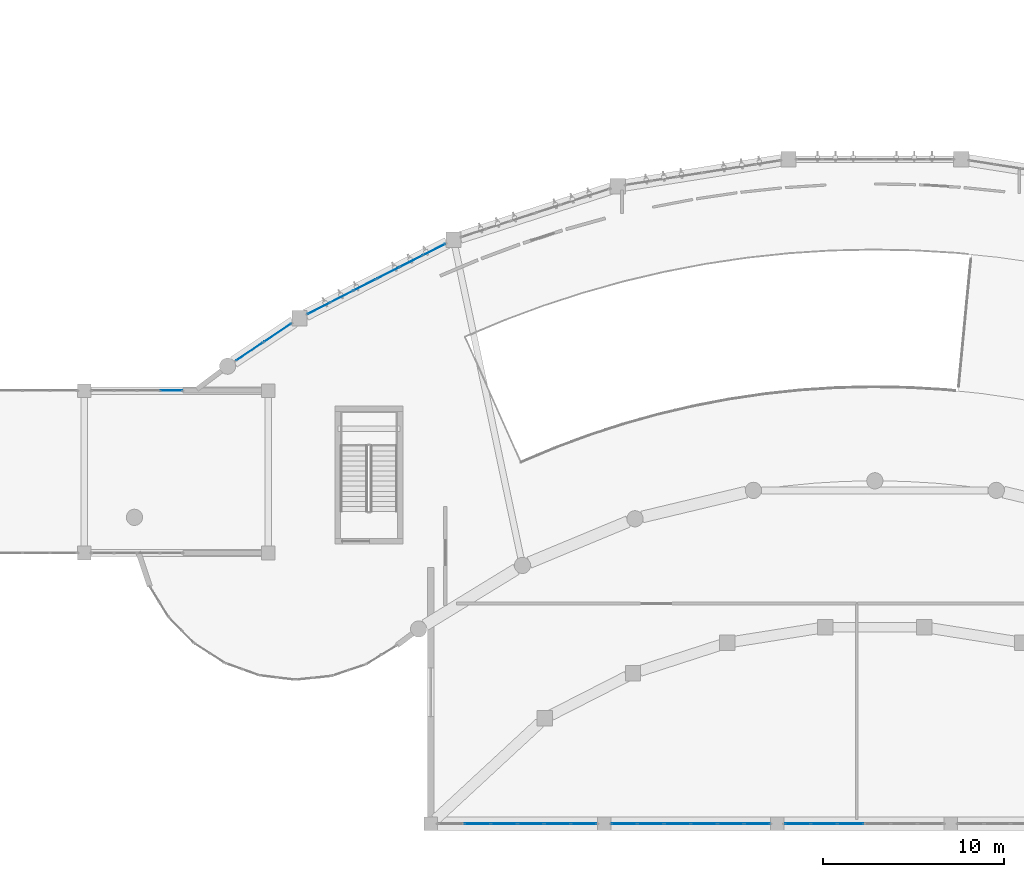
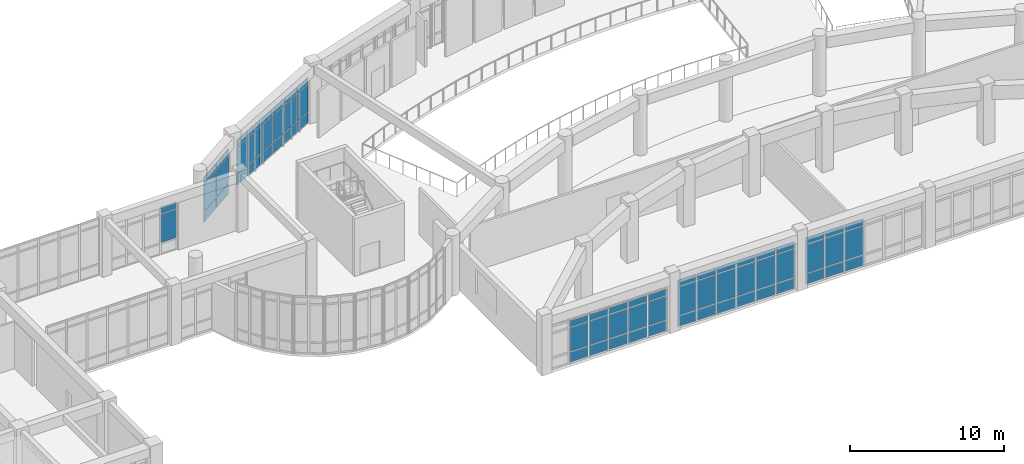
# One storey, part 40 of 68: 68 plates, 8 elements without a shape of their own.
"""IFC4 building model written with IfcOpenShell, lengths in metres."""

from ifc_helpers import new_model, si_unit, direction, frame, origin, origin_2d, place, context, subcontext, project, spatial, rectangle, extrude, material, layer, layer_set, type_object, element, aggregate, save


model = new_model("IFC4")

# Units and contexts
model_context = context("Model", 3, precision=1e-05, world=origin(), true_north=direction((0.0, 1.0)))
body_context = subcontext(model_context, "Body", "Model", "MODEL_VIEW")
ifc_project = project(units=[si_unit("LENGTHUNIT", "METRE"), si_unit("AREAUNIT", "SQUARE_METRE"), si_unit("VOLUMEUNIT", "CUBIC_METRE"), si_unit("PLANEANGLEUNIT", "RADIAN"), si_unit("MASSUNIT", "GRAM", prefix="KILO")], contexts=[model_context])

# Site, building, storey
site_placement = place(None, origin())
site = spatial("IfcSite", under=ifc_project, at=site_placement, CompositionType="ELEMENT")
building_placement = place(site_placement, origin())
building = spatial("IfcBuilding", under=site, at=building_placement, Name="Miralva Faculty of Natural Sciences", CompositionType="ELEMENT")
storey_placement = place(building_placement, frame((0.0, 0.0, 5.39990234375)))
storey = spatial("IfcBuildingStorey", under=building, at=storey_placement, Name="L01", CompositionType="ELEMENT", Elevation=5.39990234375)

# Curtain wall, plates
ifc_material = material(Name="Laminated solar-control glass", Category="glass")
ifc_layer_1 = layer(ifc_material, 0.179931640625, Name="CW-ARC-L01")
ifc_layer_set_1 = layer_set([ifc_layer_1], Name="Laminated solar-control glass")
curtain_wall_type_1 = type_object("IfcCurtainWallType", Name="CW-ARC-L01", PredefinedType="USERDEFINED", material=ifc_layer_set_1)
curtain_wall_1_placement = place(storey_placement, origin())
curtain_wall_1 = element("IfcCurtainWall", 1, at=curtain_wall_1_placement, inside=storey, type_object=curtain_wall_type_1, Name="Curtain wall CW-02 L01-31", ObjectType="UNITISED CURTAIN WALL", PredefinedType="USERDEFINED")
ifc_layer_2 = layer(ifc_material, 0.028076171875, Name="PNL-P01")
ifc_layer_set_2 = layer_set([ifc_layer_2], Name="Laminated solar-control glass")
plate_type_1 = type_object("IfcPlateType", Name="PNL-P01", PredefinedType="CURTAIN_PANEL", material=ifc_layer_set_2)
plate_1_placement = place(storey_placement, frame((55.35888671875, 29.1611328125, 0.06005859375), z_axis=(0.0, 0.0, 1.0), x_axis=(0.831473893276, 0.555563826036, 0.0)))
plate_1 = element("IfcPlate", 2, at=plate_1_placement, type_object=plate_type_1, Name="CW-02 panel 1.1", PredefinedType="CURTAIN_PANEL", context=body_context, shape_type="SweptSolid", body=[
    extrude(rectangle(XDim=1.73974609375, YDim=0.028076171875, at=origin_2d()), origin(), (0.0, 0.0, 1.0), 0.81005859375),
])
plate_2_placement = place(storey_placement, frame((55.35888671875, 29.1611328125, 0.93017578125), z_axis=(0.0, 0.0, 1.0), x_axis=(0.831473893276, 0.555563826036, 0.0)))
plate_2 = element("IfcPlate", 3, at=plate_2_placement, type_object=plate_type_1, Name="CW-02 panel 1.2", PredefinedType="CURTAIN_PANEL", context=body_context, shape_type="SweptSolid", body=[
    extrude(rectangle(XDim=1.73974609375, YDim=0.028076171875, at=origin_2d()), origin(), (0.0, 0.0, 1.0), 2.14501953125),
])
plate_3_placement = place(storey_placement, frame((55.35888671875, 29.1611328125, 3.13525390625), z_axis=(0.0, 0.0, 1.0), x_axis=(0.831473893276, 0.555563826036, 0.0)))
plate_3 = element("IfcPlate", 4, at=plate_3_placement, type_object=plate_type_1, Name="CW-02 panel 1.3", PredefinedType="CURTAIN_PANEL", context=body_context, shape_type="SweptSolid", body=[
    extrude(rectangle(XDim=1.73974609375, YDim=0.028076171875, at=origin_2d()), origin(), (0.0, 0.0, 1.0), 0.510009765625),
])
aggregate(curtain_wall_1, [plate_1, plate_2, plate_3])

curtain_wall_2_placement = place(storey_placement, origin())
curtain_wall_2 = element("IfcCurtainWall", 5, at=curtain_wall_2_placement, inside=storey, type_object=curtain_wall_type_1, Name="Curtain wall CW-02 L01-32", ObjectType="UNITISED CURTAIN WALL", PredefinedType="USERDEFINED")
plate_4_placement = place(storey_placement, frame((56.924072265625, 30.206787109375, 0.06005859375), z_axis=(0.0, 0.0, 1.0), x_axis=(0.831476437239, 0.555560018644, 0.0)))
plate_4 = element("IfcPlate", 6, at=plate_4_placement, type_object=plate_type_1, Name="CW-02 panel 1.1", PredefinedType="CURTAIN_PANEL", context=body_context, shape_type="SweptSolid", body=[
    extrude(rectangle(XDim=1.77490234375, YDim=0.028076171875, at=origin_2d()), origin(), (0.0, 0.0, 1.0), 0.81005859375),
])
plate_5_placement = place(storey_placement, frame((56.924072265625, 30.206787109375, 0.93017578125), z_axis=(0.0, 0.0, 1.0), x_axis=(0.831476437239, 0.555560018644, 0.0)))
plate_5 = element("IfcPlate", 7, at=plate_5_placement, type_object=plate_type_1, Name="CW-02 panel 1.2", PredefinedType="CURTAIN_PANEL", context=body_context, shape_type="SweptSolid", body=[
    extrude(rectangle(XDim=1.77490234375, YDim=0.028076171875, at=origin_2d()), origin(), (0.0, 0.0, 1.0), 2.14501953125),
])
plate_6_placement = place(storey_placement, frame((56.924072265625, 30.206787109375, 3.13525390625), z_axis=(0.0, 0.0, 1.0), x_axis=(0.831476437239, 0.555560018644, 0.0)))
plate_6 = element("IfcPlate", 8, at=plate_6_placement, type_object=plate_type_1, Name="CW-02 panel 1.3", PredefinedType="CURTAIN_PANEL", context=body_context, shape_type="SweptSolid", body=[
    extrude(rectangle(XDim=1.77490234375, YDim=0.028076171875, at=origin_2d()), origin(), (0.0, 0.0, 1.0), 0.510009765625),
])
aggregate(curtain_wall_2, [plate_4, plate_5, plate_6])

curtain_wall_3_placement = place(storey_placement, origin())
curtain_wall_3 = element("IfcCurtainWall", 9, at=curtain_wall_3_placement, inside=storey, type_object=curtain_wall_type_1, Name="Curtain wall CW-02 L01-33", ObjectType="UNITISED CURTAIN WALL", PredefinedType="USERDEFINED")
plate_7_placement = place(storey_placement, frame((59.197998046875, 31.556640625, 0.06005859375), z_axis=(0.0, 0.0, 1.0), x_axis=(0.891003994746, 0.453995464015, 0.0)))
plate_7 = element("IfcPlate", 10, at=plate_7_placement, type_object=plate_type_1, Name="CW-02 panel 1.1", PredefinedType="CURTAIN_PANEL", context=body_context, shape_type="SweptSolid", body=[
    extrude(rectangle(XDim=1.3427734375, YDim=0.028076171875, at=origin_2d()), origin(), (0.0, 0.0, 1.0), 0.81005859375),
])
plate_8_placement = place(storey_placement, frame((59.197998046875, 31.556640625, 0.93017578125), z_axis=(0.0, 0.0, 1.0), x_axis=(0.891003994746, 0.453995464015, 0.0)))
plate_8 = element("IfcPlate", 11, at=plate_8_placement, type_object=plate_type_1, Name="CW-02 panel 1.2", PredefinedType="CURTAIN_PANEL", context=body_context, shape_type="SweptSolid", body=[
    extrude(rectangle(XDim=1.3427734375, YDim=0.028076171875, at=origin_2d()), origin(), (0.0, 0.0, 1.0), 2.14501953125),
])
plate_9_placement = place(storey_placement, frame((59.197998046875, 31.556640625, 3.13525390625), z_axis=(0.0, 0.0, 1.0), x_axis=(0.891003994746, 0.453995464015, 0.0)))
plate_9 = element("IfcPlate", 12, at=plate_9_placement, type_object=plate_type_1, Name="CW-02 panel 1.3", PredefinedType="CURTAIN_PANEL", context=body_context, shape_type="SweptSolid", body=[
    extrude(rectangle(XDim=1.3427734375, YDim=0.028076171875, at=origin_2d()), origin(), (0.0, 0.0, 1.0), 0.510009765625),
])
plate_10_placement = place(storey_placement, frame((60.466796875, 32.203125, 0.06005859375), z_axis=(0.0, 0.0, 1.0), x_axis=(0.891003994746, 0.453995464015, 0.0)))
plate_10 = element("IfcPlate", 13, at=plate_10_placement, type_object=plate_type_1, Name="CW-02 panel 2.1", PredefinedType="CURTAIN_PANEL", context=body_context, shape_type="SweptSolid", body=[
    extrude(rectangle(XDim=1.375244140625, YDim=0.028076171875, at=origin_2d()), origin(), (0.0, 0.0, 1.0), 0.81005859375),
])
plate_11_placement = place(storey_placement, frame((60.466796875, 32.203125, 0.93017578125), z_axis=(0.0, 0.0, 1.0), x_axis=(0.891003994746, 0.453995464015, 0.0)))
plate_11 = element("IfcPlate", 14, at=plate_11_placement, type_object=plate_type_1, Name="CW-02 panel 2.2", PredefinedType="CURTAIN_PANEL", context=body_context, shape_type="SweptSolid", body=[
    extrude(rectangle(XDim=1.375244140625, YDim=0.028076171875, at=origin_2d()), origin(), (0.0, 0.0, 1.0), 2.14501953125),
])
plate_12_placement = place(storey_placement, frame((60.466796875, 32.203125, 3.13525390625), z_axis=(0.0, 0.0, 1.0), x_axis=(0.891003994746, 0.453995464015, 0.0)))
plate_12 = element("IfcPlate", 15, at=plate_12_placement, type_object=plate_type_1, Name="CW-02 panel 2.3", PredefinedType="CURTAIN_PANEL", context=body_context, shape_type="SweptSolid", body=[
    extrude(rectangle(XDim=1.375244140625, YDim=0.028076171875, at=origin_2d()), origin(), (0.0, 0.0, 1.0), 0.510009765625),
])
plate_13_placement = place(storey_placement, frame((61.73583984375, 32.849609375, 0.06005859375), z_axis=(0.0, 0.0, 1.0), x_axis=(0.891003994746, 0.453995464015, 0.0)))
plate_13 = element("IfcPlate", 16, at=plate_13_placement, type_object=plate_type_1, Name="CW-02 panel 3.1", PredefinedType="CURTAIN_PANEL", context=body_context, shape_type="SweptSolid", body=[
    extrude(rectangle(XDim=1.3427734375, YDim=0.028076171875, at=origin_2d()), origin(), (0.0, 0.0, 1.0), 0.81005859375),
])
plate_14_placement = place(storey_placement, frame((61.73583984375, 32.849609375, 0.93017578125), z_axis=(0.0, 0.0, 1.0), x_axis=(0.891003994746, 0.453995464015, 0.0)))
plate_14 = element("IfcPlate", 17, at=plate_14_placement, type_object=plate_type_1, Name="CW-02 panel 3.2", PredefinedType="CURTAIN_PANEL", context=body_context, shape_type="SweptSolid", body=[
    extrude(rectangle(XDim=1.3427734375, YDim=0.028076171875, at=origin_2d()), origin(), (0.0, 0.0, 1.0), 2.14501953125),
])
plate_15_placement = place(storey_placement, frame((61.73583984375, 32.849609375, 3.13525390625), z_axis=(0.0, 0.0, 1.0), x_axis=(0.891003994746, 0.453995464015, 0.0)))
plate_15 = element("IfcPlate", 18, at=plate_15_placement, type_object=plate_type_1, Name="CW-02 panel 3.3", PredefinedType="CURTAIN_PANEL", context=body_context, shape_type="SweptSolid", body=[
    extrude(rectangle(XDim=1.3427734375, YDim=0.028076171875, at=origin_2d()), origin(), (0.0, 0.0, 1.0), 0.510009765625),
])
aggregate(curtain_wall_3, [plate_7, plate_8, plate_9, plate_10, plate_11, plate_12, plate_13, plate_14, plate_15])

curtain_wall_4_placement = place(storey_placement, origin())
curtain_wall_4 = element("IfcCurtainWall", 19, at=curtain_wall_4_placement, inside=storey, type_object=curtain_wall_type_1, Name="Curtain wall CW-02 L01-34", ObjectType="UNITISED CURTAIN WALL", PredefinedType="USERDEFINED")
plate_16_placement = place(storey_placement, frame((63.04443359375, 33.516357421875, 0.06005859375), z_axis=(0.0, 0.0, 1.0), x_axis=(0.891017445084, 0.453969065637, 0.0)))
plate_16 = element("IfcPlate", 20, at=plate_16_placement, type_object=plate_type_1, Name="CW-02 panel 1.1", PredefinedType="CURTAIN_PANEL", context=body_context, shape_type="SweptSolid", body=[
    extrude(rectangle(XDim=1.344482421875, YDim=0.028076171875, at=origin_2d()), origin(), (0.0, 0.0, 1.0), 0.81005859375),
])
plate_17_placement = place(storey_placement, frame((63.04443359375, 33.516357421875, 0.93017578125), z_axis=(0.0, 0.0, 1.0), x_axis=(0.891017445084, 0.453969065637, 0.0)))
plate_17 = element("IfcPlate", 21, at=plate_17_placement, type_object=plate_type_1, Name="CW-02 panel 1.2", PredefinedType="CURTAIN_PANEL", context=body_context, shape_type="SweptSolid", body=[
    extrude(rectangle(XDim=1.344482421875, YDim=0.028076171875, at=origin_2d()), origin(), (0.0, 0.0, 1.0), 2.14501953125),
])
plate_18_placement = place(storey_placement, frame((63.04443359375, 33.516357421875, 3.13525390625), z_axis=(0.0, 0.0, 1.0), x_axis=(0.891017445084, 0.453969065637, 0.0)))
plate_18 = element("IfcPlate", 22, at=plate_18_placement, type_object=plate_type_1, Name="CW-02 panel 1.3", PredefinedType="CURTAIN_PANEL", context=body_context, shape_type="SweptSolid", body=[
    extrude(rectangle(XDim=1.344482421875, YDim=0.028076171875, at=origin_2d()), origin(), (0.0, 0.0, 1.0), 0.510009765625),
])
plate_19_placement = place(storey_placement, frame((64.314697265625, 34.16357421875, 0.06005859375), z_axis=(0.0, 0.0, 1.0), x_axis=(0.891017445084, 0.453969065637, 0.0)))
plate_19 = element("IfcPlate", 23, at=plate_19_placement, type_object=plate_type_1, Name="CW-02 panel 2.1", PredefinedType="CURTAIN_PANEL", context=body_context, shape_type="SweptSolid", body=[
    extrude(rectangle(XDim=1.376953125, YDim=0.028076171875, at=origin_2d()), origin(), (0.0, 0.0, 1.0), 0.81005859375),
])
plate_20_placement = place(storey_placement, frame((64.314697265625, 34.16357421875, 0.93017578125), z_axis=(0.0, 0.0, 1.0), x_axis=(0.891017445084, 0.453969065637, 0.0)))
plate_20 = element("IfcPlate", 24, at=plate_20_placement, type_object=plate_type_1, Name="CW-02 panel 2.2", PredefinedType="CURTAIN_PANEL", context=body_context, shape_type="SweptSolid", body=[
    extrude(rectangle(XDim=1.376953125, YDim=0.028076171875, at=origin_2d()), origin(), (0.0, 0.0, 1.0), 2.14501953125),
])
plate_21_placement = place(storey_placement, frame((64.314697265625, 34.16357421875, 3.13525390625), z_axis=(0.0, 0.0, 1.0), x_axis=(0.891017445084, 0.453969065637, 0.0)))
plate_21 = element("IfcPlate", 25, at=plate_21_placement, type_object=plate_type_1, Name="CW-02 panel 2.3", PredefinedType="CURTAIN_PANEL", context=body_context, shape_type="SweptSolid", body=[
    extrude(rectangle(XDim=1.376953125, YDim=0.028076171875, at=origin_2d()), origin(), (0.0, 0.0, 1.0), 0.510009765625),
])
plate_22_placement = place(storey_placement, frame((65.585205078125, 34.810791015625, 0.06005859375), z_axis=(0.0, 0.0, 1.0), x_axis=(0.891017445084, 0.453969065637, 0.0)))
plate_22 = element("IfcPlate", 26, at=plate_22_placement, type_object=plate_type_1, Name="CW-02 panel 3.1", PredefinedType="CURTAIN_PANEL", context=body_context, shape_type="SweptSolid", body=[
    extrude(rectangle(XDim=1.344482421875, YDim=0.028076171875, at=origin_2d()), origin(), (0.0, 0.0, 1.0), 0.81005859375),
])
plate_23_placement = place(storey_placement, frame((65.585205078125, 34.810791015625, 0.93017578125), z_axis=(0.0, 0.0, 1.0), x_axis=(0.891017445084, 0.453969065637, 0.0)))
plate_23 = element("IfcPlate", 27, at=plate_23_placement, type_object=plate_type_1, Name="CW-02 panel 3.2", PredefinedType="CURTAIN_PANEL", context=body_context, shape_type="SweptSolid", body=[
    extrude(rectangle(XDim=1.344482421875, YDim=0.028076171875, at=origin_2d()), origin(), (0.0, 0.0, 1.0), 2.14501953125),
])
plate_24_placement = place(storey_placement, frame((65.585205078125, 34.810791015625, 3.13525390625), z_axis=(0.0, 0.0, 1.0), x_axis=(0.891017445084, 0.453969065637, 0.0)))
plate_24 = element("IfcPlate", 28, at=plate_24_placement, type_object=plate_type_1, Name="CW-02 panel 3.3", PredefinedType="CURTAIN_PANEL", context=body_context, shape_type="SweptSolid", body=[
    extrude(rectangle(XDim=1.344482421875, YDim=0.028076171875, at=origin_2d()), origin(), (0.0, 0.0, 1.0), 0.510009765625),
])
aggregate(curtain_wall_4, [plate_16, plate_17, plate_18, plate_19, plate_20, plate_21, plate_22, plate_23, plate_24])

ifc_layer_3 = layer(ifc_material, 0.179931640625, Name="CW-COM-L01")
ifc_layer_set_3 = layer_set([ifc_layer_3], Name="Laminated solar-control glass")
curtain_wall_type_2 = type_object("IfcCurtainWallType", Name="CW-COM-L01", PredefinedType="USERDEFINED", material=ifc_layer_set_3)
curtain_wall_5_placement = place(storey_placement, origin())
curtain_wall_5 = element("IfcCurtainWall", 29, at=curtain_wall_5_placement, inside=storey, type_object=curtain_wall_type_2, Name="Curtain wall CW-10 L01-292", ObjectType="UNITISED CURTAIN WALL", PredefinedType="USERDEFINED")
plate_25_placement = place(storey_placement, frame((51.025634765625, 27.0, 0.93017578125), z_axis=(0.0, 0.0, 1.0), x_axis=(1.0, 0.0, 0.0)))
plate_25 = element("IfcPlate", 30, at=plate_25_placement, type_object=plate_type_1, Name="CW-10 panel 4.2", PredefinedType="CURTAIN_PANEL", context=body_context, shape_type="SweptSolid", body=[
    extrude(rectangle(XDim=1.188720703125, YDim=0.028076171875, at=origin_2d()), origin(), (0.0, 0.0, 1.0), 2.2548828125),
])
plate_26_placement = place(storey_placement, frame((51.025634765625, 27.0, 3.2451171875), z_axis=(0.0, 0.0, 1.0), x_axis=(1.0, 0.0, 0.0)))
plate_26 = element("IfcPlate", 31, at=plate_26_placement, type_object=plate_type_1, Name="CW-10 panel 4.3", PredefinedType="CURTAIN_PANEL", context=body_context, shape_type="SweptSolid", body=[
    extrude(rectangle(XDim=1.188720703125, YDim=0.028076171875, at=origin_2d()), origin(), (0.0, 0.0, 1.0), 0.510009765625),
])
aggregate(curtain_wall_5, [plate_25, plate_26])

ifc_layer_4 = layer(ifc_material, 0.179931640625, Name="CW-LEC-L01")
ifc_layer_set_4 = layer_set([ifc_layer_4], Name="Laminated solar-control glass")
curtain_wall_type_3 = type_object("IfcCurtainWallType", Name="CW-LEC-L01", PredefinedType="USERDEFINED", material=ifc_layer_set_4)
curtain_wall_6_placement = place(storey_placement, origin())
curtain_wall_6 = element("IfcCurtainWall", 32, at=curtain_wall_6_placement, inside=storey, type_object=curtain_wall_type_3, Name="Curtain wall CW-08 L01-206", ObjectType="UNITISED CURTAIN WALL", PredefinedType="USERDEFINED")
ifc_layer_5 = layer(ifc_material, 0.031982421875, Name="PNL-P02")
ifc_layer_set_5 = layer_set([ifc_layer_5], Name="Laminated solar-control glass")
plate_type_2 = type_object("IfcPlateType", Name="PNL-P02", PredefinedType="CURTAIN_PANEL", material=ifc_layer_set_5)
plate_27_placement = place(storey_placement, frame((67.982421875, 3.0, 0.06494140625), z_axis=(0.0, 0.0, 1.0), x_axis=(1.0, 0.0, 0.0)))
plate_27 = element("IfcPlate", 33, at=plate_27_placement, type_object=plate_type_2, Name="CW-08 panel 2.1", PredefinedType="CURTAIN_PANEL", context=body_context, shape_type="SweptSolid", body=[
    extrude(rectangle(XDim=1.413330078125, YDim=0.031982421875, at=origin_2d()), origin(), (0.0, 0.0, 1.0), 0.802490234375),
])
plate_28_placement = place(storey_placement, frame((67.982421875, 3.0, 0.9326171875), z_axis=(0.0, 0.0, 1.0), x_axis=(1.0, 0.0, 0.0)))
plate_28 = element("IfcPlate", 34, at=plate_28_placement, type_object=plate_type_2, Name="CW-08 panel 2.2", PredefinedType="CURTAIN_PANEL", context=body_context, shape_type="SweptSolid", body=[
    extrude(rectangle(XDim=1.413330078125, YDim=0.031982421875, at=origin_2d()), origin(), (0.0, 0.0, 1.0), 1.8798828125),
])
plate_29_placement = place(storey_placement, frame((67.982421875, 3.0, 2.877685546875), z_axis=(0.0, 0.0, 1.0), x_axis=(1.0, 0.0, 0.0)))
plate_29 = element("IfcPlate", 35, at=plate_29_placement, type_object=plate_type_2, Name="CW-08 panel 2.3", PredefinedType="CURTAIN_PANEL", context=body_context, shape_type="SweptSolid", body=[
    extrude(rectangle(XDim=1.413330078125, YDim=0.031982421875, at=origin_2d()), origin(), (0.0, 0.0, 1.0), 0.50244140625),
])
plate_30_placement = place(storey_placement, frame((69.4609375, 3.0, 0.06494140625), z_axis=(0.0, 0.0, 1.0), x_axis=(1.0, 0.0, 0.0)))
plate_30 = element("IfcPlate", 36, at=plate_30_placement, type_object=plate_type_2, Name="CW-08 panel 3.1", PredefinedType="CURTAIN_PANEL", context=body_context, shape_type="SweptSolid", body=[
    extrude(rectangle(XDim=1.413330078125, YDim=0.031982421875, at=origin_2d()), origin(), (0.0, 0.0, 1.0), 0.802490234375),
])
plate_31_placement = place(storey_placement, frame((69.4609375, 3.0, 0.9326171875), z_axis=(0.0, 0.0, 1.0), x_axis=(1.0, 0.0, 0.0)))
plate_31 = element("IfcPlate", 37, at=plate_31_placement, type_object=plate_type_2, Name="CW-08 panel 3.2", PredefinedType="CURTAIN_PANEL", context=body_context, shape_type="SweptSolid", body=[
    extrude(rectangle(XDim=1.413330078125, YDim=0.031982421875, at=origin_2d()), origin(), (0.0, 0.0, 1.0), 1.8798828125),
])
plate_32_placement = place(storey_placement, frame((69.4609375, 3.0, 2.877685546875), z_axis=(0.0, 0.0, 1.0), x_axis=(1.0, 0.0, 0.0)))
plate_32 = element("IfcPlate", 38, at=plate_32_placement, type_object=plate_type_2, Name="CW-08 panel 3.3", PredefinedType="CURTAIN_PANEL", context=body_context, shape_type="SweptSolid", body=[
    extrude(rectangle(XDim=1.413330078125, YDim=0.031982421875, at=origin_2d()), origin(), (0.0, 0.0, 1.0), 0.50244140625),
])
plate_33_placement = place(storey_placement, frame((70.939208984375, 3.0, 0.06494140625), z_axis=(0.0, 0.0, 1.0), x_axis=(1.0, 0.0, 0.0)))
plate_33 = element("IfcPlate", 39, at=plate_33_placement, type_object=plate_type_2, Name="CW-08 panel 4.1", PredefinedType="CURTAIN_PANEL", context=body_context, shape_type="SweptSolid", body=[
    extrude(rectangle(XDim=1.413330078125, YDim=0.031982421875, at=origin_2d()), origin(), (0.0, 0.0, 1.0), 0.802490234375),
])
plate_34_placement = place(storey_placement, frame((70.939208984375, 3.0, 0.9326171875), z_axis=(0.0, 0.0, 1.0), x_axis=(1.0, 0.0, 0.0)))
plate_34 = element("IfcPlate", 40, at=plate_34_placement, type_object=plate_type_2, Name="CW-08 panel 4.2", PredefinedType="CURTAIN_PANEL", context=body_context, shape_type="SweptSolid", body=[
    extrude(rectangle(XDim=1.413330078125, YDim=0.031982421875, at=origin_2d()), origin(), (0.0, 0.0, 1.0), 1.8798828125),
])
plate_35_placement = place(storey_placement, frame((70.939208984375, 3.0, 2.877685546875), z_axis=(0.0, 0.0, 1.0), x_axis=(1.0, 0.0, 0.0)))
plate_35 = element("IfcPlate", 41, at=plate_35_placement, type_object=plate_type_2, Name="CW-08 panel 4.3", PredefinedType="CURTAIN_PANEL", context=body_context, shape_type="SweptSolid", body=[
    extrude(rectangle(XDim=1.413330078125, YDim=0.031982421875, at=origin_2d()), origin(), (0.0, 0.0, 1.0), 0.50244140625),
])
plate_36_placement = place(storey_placement, frame((72.41748046875, 3.0, 0.06494140625), z_axis=(0.0, 0.0, 1.0), x_axis=(1.0, 0.0, 0.0)))
plate_36 = element("IfcPlate", 42, at=plate_36_placement, type_object=plate_type_2, Name="CW-08 panel 5.1", PredefinedType="CURTAIN_PANEL", context=body_context, shape_type="SweptSolid", body=[
    extrude(rectangle(XDim=1.413330078125, YDim=0.031982421875, at=origin_2d()), origin(), (0.0, 0.0, 1.0), 0.802490234375),
])
plate_37_placement = place(storey_placement, frame((72.41748046875, 3.0, 0.9326171875), z_axis=(0.0, 0.0, 1.0), x_axis=(1.0, 0.0, 0.0)))
plate_37 = element("IfcPlate", 43, at=plate_37_placement, type_object=plate_type_2, Name="CW-08 panel 5.2", PredefinedType="CURTAIN_PANEL", context=body_context, shape_type="SweptSolid", body=[
    extrude(rectangle(XDim=1.413330078125, YDim=0.031982421875, at=origin_2d()), origin(), (0.0, 0.0, 1.0), 1.8798828125),
])
plate_38_placement = place(storey_placement, frame((72.41748046875, 3.0, 2.877685546875), z_axis=(0.0, 0.0, 1.0), x_axis=(1.0, 0.0, 0.0)))
plate_38 = element("IfcPlate", 44, at=plate_38_placement, type_object=plate_type_2, Name="CW-08 panel 5.3", PredefinedType="CURTAIN_PANEL", context=body_context, shape_type="SweptSolid", body=[
    extrude(rectangle(XDim=1.413330078125, YDim=0.031982421875, at=origin_2d()), origin(), (0.0, 0.0, 1.0), 0.50244140625),
])
plate_39_placement = place(storey_placement, frame((73.879638671875, 3.0, 0.06494140625), z_axis=(0.0, 0.0, 1.0), x_axis=(1.0, 0.0, 0.0)))
plate_39 = element("IfcPlate", 45, at=plate_39_placement, type_object=plate_type_2, Name="CW-08 panel 6.1", PredefinedType="CURTAIN_PANEL", context=body_context, shape_type="SweptSolid", body=[
    extrude(rectangle(XDim=1.380859375, YDim=0.031982421875, at=origin_2d()), origin(), (0.0, 0.0, 1.0), 0.802490234375),
])
plate_40_placement = place(storey_placement, frame((73.879638671875, 3.0, 0.9326171875), z_axis=(0.0, 0.0, 1.0), x_axis=(1.0, 0.0, 0.0)))
plate_40 = element("IfcPlate", 46, at=plate_40_placement, type_object=plate_type_2, Name="CW-08 panel 6.2", PredefinedType="CURTAIN_PANEL", context=body_context, shape_type="SweptSolid", body=[
    extrude(rectangle(XDim=1.380859375, YDim=0.031982421875, at=origin_2d()), origin(), (0.0, 0.0, 1.0), 1.8798828125),
])
plate_41_placement = place(storey_placement, frame((73.879638671875, 3.0, 2.877685546875), z_axis=(0.0, 0.0, 1.0), x_axis=(1.0, 0.0, 0.0)))
plate_41 = element("IfcPlate", 47, at=plate_41_placement, type_object=plate_type_2, Name="CW-08 panel 6.3", PredefinedType="CURTAIN_PANEL", context=body_context, shape_type="SweptSolid", body=[
    extrude(rectangle(XDim=1.380859375, YDim=0.031982421875, at=origin_2d()), origin(), (0.0, 0.0, 1.0), 0.50244140625),
])
aggregate(curtain_wall_6, [plate_27, plate_28, plate_29, plate_30, plate_31, plate_32, plate_33, plate_34, plate_35, plate_36, plate_37, plate_38, plate_39, plate_40, plate_41])

curtain_wall_7_placement = place(storey_placement, origin())
curtain_wall_7 = element("IfcCurtainWall", 48, at=curtain_wall_7_placement, inside=storey, type_object=curtain_wall_type_3, Name="Curtain wall CW-08 L01-207", ObjectType="UNITISED CURTAIN WALL", PredefinedType="USERDEFINED")
plate_42_placement = place(storey_placement, frame((76.120361328125, 3.0, 0.06494140625), z_axis=(0.0, 0.0, 1.0), x_axis=(1.0, 0.0, 0.0)))
plate_42 = element("IfcPlate", 49, at=plate_42_placement, type_object=plate_type_2, Name="CW-08 panel 1.1", PredefinedType="CURTAIN_PANEL", context=body_context, shape_type="SweptSolid", body=[
    extrude(rectangle(XDim=1.380859375, YDim=0.031982421875, at=origin_2d()), origin(), (0.0, 0.0, 1.0), 0.802490234375),
])
plate_43_placement = place(storey_placement, frame((76.120361328125, 3.0, 0.9326171875), z_axis=(0.0, 0.0, 1.0), x_axis=(1.0, 0.0, 0.0)))
plate_43 = element("IfcPlate", 50, at=plate_43_placement, type_object=plate_type_2, Name="CW-08 panel 1.2", PredefinedType="CURTAIN_PANEL", context=body_context, shape_type="SweptSolid", body=[
    extrude(rectangle(XDim=1.380859375, YDim=0.031982421875, at=origin_2d()), origin(), (0.0, 0.0, 1.0), 2.260009765625),
])
plate_44_placement = place(storey_placement, frame((76.120361328125, 3.0, 3.257568359375), z_axis=(0.0, 0.0, 1.0), x_axis=(1.0, 0.0, 0.0)))
plate_44 = element("IfcPlate", 51, at=plate_44_placement, type_object=plate_type_2, Name="CW-08 panel 1.3", PredefinedType="CURTAIN_PANEL", context=body_context, shape_type="SweptSolid", body=[
    extrude(rectangle(XDim=1.380859375, YDim=0.031982421875, at=origin_2d()), origin(), (0.0, 0.0, 1.0), 0.50244140625),
])
plate_45_placement = place(storey_placement, frame((77.58251953125, 3.0, 0.06494140625), z_axis=(0.0, 0.0, 1.0), x_axis=(1.0, 0.0, 0.0)))
plate_45 = element("IfcPlate", 52, at=plate_45_placement, type_object=plate_type_2, Name="CW-08 panel 2.1", PredefinedType="CURTAIN_PANEL", context=body_context, shape_type="SweptSolid", body=[
    extrude(rectangle(XDim=1.413330078125, YDim=0.031982421875, at=origin_2d()), origin(), (0.0, 0.0, 1.0), 0.802490234375),
])
plate_46_placement = place(storey_placement, frame((77.58251953125, 3.0, 0.9326171875), z_axis=(0.0, 0.0, 1.0), x_axis=(1.0, 0.0, 0.0)))
plate_46 = element("IfcPlate", 53, at=plate_46_placement, type_object=plate_type_2, Name="CW-08 panel 2.2", PredefinedType="CURTAIN_PANEL", context=body_context, shape_type="SweptSolid", body=[
    extrude(rectangle(XDim=1.413330078125, YDim=0.031982421875, at=origin_2d()), origin(), (0.0, 0.0, 1.0), 2.260009765625),
])
plate_47_placement = place(storey_placement, frame((77.58251953125, 3.0, 3.257568359375), z_axis=(0.0, 0.0, 1.0), x_axis=(1.0, 0.0, 0.0)))
plate_47 = element("IfcPlate", 54, at=plate_47_placement, type_object=plate_type_2, Name="CW-08 panel 2.3", PredefinedType="CURTAIN_PANEL", context=body_context, shape_type="SweptSolid", body=[
    extrude(rectangle(XDim=1.413330078125, YDim=0.031982421875, at=origin_2d()), origin(), (0.0, 0.0, 1.0), 0.50244140625),
])
plate_48_placement = place(storey_placement, frame((79.060791015625, 3.0, 0.06494140625), z_axis=(0.0, 0.0, 1.0), x_axis=(1.0, 0.0, 0.0)))
plate_48 = element("IfcPlate", 55, at=plate_48_placement, type_object=plate_type_2, Name="CW-08 panel 3.1", PredefinedType="CURTAIN_PANEL", context=body_context, shape_type="SweptSolid", body=[
    extrude(rectangle(XDim=1.413330078125, YDim=0.031982421875, at=origin_2d()), origin(), (0.0, 0.0, 1.0), 0.802490234375),
])
plate_49_placement = place(storey_placement, frame((79.060791015625, 3.0, 0.9326171875), z_axis=(0.0, 0.0, 1.0), x_axis=(1.0, 0.0, 0.0)))
plate_49 = element("IfcPlate", 56, at=plate_49_placement, type_object=plate_type_2, Name="CW-08 panel 3.2", PredefinedType="CURTAIN_PANEL", context=body_context, shape_type="SweptSolid", body=[
    extrude(rectangle(XDim=1.413330078125, YDim=0.031982421875, at=origin_2d()), origin(), (0.0, 0.0, 1.0), 2.260009765625),
])
plate_50_placement = place(storey_placement, frame((79.060791015625, 3.0, 3.257568359375), z_axis=(0.0, 0.0, 1.0), x_axis=(1.0, 0.0, 0.0)))
plate_50 = element("IfcPlate", 57, at=plate_50_placement, type_object=plate_type_2, Name="CW-08 panel 3.3", PredefinedType="CURTAIN_PANEL", context=body_context, shape_type="SweptSolid", body=[
    extrude(rectangle(XDim=1.413330078125, YDim=0.031982421875, at=origin_2d()), origin(), (0.0, 0.0, 1.0), 0.50244140625),
])
plate_51_placement = place(storey_placement, frame((80.5390625, 3.0, 0.06494140625), z_axis=(0.0, 0.0, 1.0), x_axis=(1.0, 0.0, 0.0)))
plate_51 = element("IfcPlate", 58, at=plate_51_placement, type_object=plate_type_2, Name="CW-08 panel 4.1", PredefinedType="CURTAIN_PANEL", context=body_context, shape_type="SweptSolid", body=[
    extrude(rectangle(XDim=1.413330078125, YDim=0.031982421875, at=origin_2d()), origin(), (0.0, 0.0, 1.0), 0.802490234375),
])
plate_52_placement = place(storey_placement, frame((80.5390625, 3.0, 0.9326171875), z_axis=(0.0, 0.0, 1.0), x_axis=(1.0, 0.0, 0.0)))
plate_52 = element("IfcPlate", 59, at=plate_52_placement, type_object=plate_type_2, Name="CW-08 panel 4.2", PredefinedType="CURTAIN_PANEL", context=body_context, shape_type="SweptSolid", body=[
    extrude(rectangle(XDim=1.413330078125, YDim=0.031982421875, at=origin_2d()), origin(), (0.0, 0.0, 1.0), 2.260009765625),
])
plate_53_placement = place(storey_placement, frame((80.5390625, 3.0, 3.257568359375), z_axis=(0.0, 0.0, 1.0), x_axis=(1.0, 0.0, 0.0)))
plate_53 = element("IfcPlate", 60, at=plate_53_placement, type_object=plate_type_2, Name="CW-08 panel 4.3", PredefinedType="CURTAIN_PANEL", context=body_context, shape_type="SweptSolid", body=[
    extrude(rectangle(XDim=1.413330078125, YDim=0.031982421875, at=origin_2d()), origin(), (0.0, 0.0, 1.0), 0.50244140625),
])
plate_54_placement = place(storey_placement, frame((82.017578125, 3.0, 0.06494140625), z_axis=(0.0, 0.0, 1.0), x_axis=(1.0, 0.0, 0.0)))
plate_54 = element("IfcPlate", 61, at=plate_54_placement, type_object=plate_type_2, Name="CW-08 panel 5.1", PredefinedType="CURTAIN_PANEL", context=body_context, shape_type="SweptSolid", body=[
    extrude(rectangle(XDim=1.413330078125, YDim=0.031982421875, at=origin_2d()), origin(), (0.0, 0.0, 1.0), 0.802490234375),
])
plate_55_placement = place(storey_placement, frame((82.017578125, 3.0, 0.9326171875), z_axis=(0.0, 0.0, 1.0), x_axis=(1.0, 0.0, 0.0)))
plate_55 = element("IfcPlate", 62, at=plate_55_placement, type_object=plate_type_2, Name="CW-08 panel 5.2", PredefinedType="CURTAIN_PANEL", context=body_context, shape_type="SweptSolid", body=[
    extrude(rectangle(XDim=1.413330078125, YDim=0.031982421875, at=origin_2d()), origin(), (0.0, 0.0, 1.0), 2.260009765625),
])
plate_56_placement = place(storey_placement, frame((82.017578125, 3.0, 3.257568359375), z_axis=(0.0, 0.0, 1.0), x_axis=(1.0, 0.0, 0.0)))
plate_56 = element("IfcPlate", 63, at=plate_56_placement, type_object=plate_type_2, Name="CW-08 panel 5.3", PredefinedType="CURTAIN_PANEL", context=body_context, shape_type="SweptSolid", body=[
    extrude(rectangle(XDim=1.413330078125, YDim=0.031982421875, at=origin_2d()), origin(), (0.0, 0.0, 1.0), 0.50244140625),
])
plate_57_placement = place(storey_placement, frame((83.4794921875, 3.0, 0.06494140625), z_axis=(0.0, 0.0, 1.0), x_axis=(1.0, 0.0, 0.0)))
plate_57 = element("IfcPlate", 64, at=plate_57_placement, type_object=plate_type_2, Name="CW-08 panel 6.1", PredefinedType="CURTAIN_PANEL", context=body_context, shape_type="SweptSolid", body=[
    extrude(rectangle(XDim=1.380859375, YDim=0.031982421875, at=origin_2d()), origin(), (0.0, 0.0, 1.0), 0.802490234375),
])
plate_58_placement = place(storey_placement, frame((83.4794921875, 3.0, 0.9326171875), z_axis=(0.0, 0.0, 1.0), x_axis=(1.0, 0.0, 0.0)))
plate_58 = element("IfcPlate", 65, at=plate_58_placement, type_object=plate_type_2, Name="CW-08 panel 6.2", PredefinedType="CURTAIN_PANEL", context=body_context, shape_type="SweptSolid", body=[
    extrude(rectangle(XDim=1.380859375, YDim=0.031982421875, at=origin_2d()), origin(), (0.0, 0.0, 1.0), 2.260009765625),
])
plate_59_placement = place(storey_placement, frame((83.4794921875, 3.0, 3.257568359375), z_axis=(0.0, 0.0, 1.0), x_axis=(1.0, 0.0, 0.0)))
plate_59 = element("IfcPlate", 66, at=plate_59_placement, type_object=plate_type_2, Name="CW-08 panel 6.3", PredefinedType="CURTAIN_PANEL", context=body_context, shape_type="SweptSolid", body=[
    extrude(rectangle(XDim=1.380859375, YDim=0.031982421875, at=origin_2d()), origin(), (0.0, 0.0, 1.0), 0.50244140625),
])
aggregate(curtain_wall_7, [plate_42, plate_43, plate_44, plate_45, plate_46, plate_47, plate_48, plate_49, plate_50, plate_51, plate_52, plate_53, plate_54, plate_55, plate_56, plate_57, plate_58, plate_59])

curtain_wall_8_placement = place(storey_placement, origin())
curtain_wall_8 = element("IfcCurtainWall", 67, at=curtain_wall_8_placement, inside=storey, type_object=curtain_wall_type_3, Name="Curtain wall CW-08 L01-208", ObjectType="UNITISED CURTAIN WALL", PredefinedType="USERDEFINED")
plate_60_placement = place(storey_placement, frame((85.720458984375, 3.0, 0.06494140625), z_axis=(0.0, 0.0, 1.0), x_axis=(1.0, 0.0, 0.0)))
plate_60 = element("IfcPlate", 68, at=plate_60_placement, type_object=plate_type_2, Name="CW-08 panel 1.1", PredefinedType="CURTAIN_PANEL", context=body_context, shape_type="SweptSolid", body=[
    extrude(rectangle(XDim=1.380859375, YDim=0.031982421875, at=origin_2d()), origin(), (0.0, 0.0, 1.0), 0.802490234375),
])
plate_61_placement = place(storey_placement, frame((85.720458984375, 3.0, 0.9326171875), z_axis=(0.0, 0.0, 1.0), x_axis=(1.0, 0.0, 0.0)))
plate_61 = element("IfcPlate", 69, at=plate_61_placement, type_object=plate_type_2, Name="CW-08 panel 1.2", PredefinedType="CURTAIN_PANEL", context=body_context, shape_type="SweptSolid", body=[
    extrude(rectangle(XDim=1.380859375, YDim=0.031982421875, at=origin_2d()), origin(), (0.0, 0.0, 1.0), 2.260009765625),
])
plate_62_placement = place(storey_placement, frame((85.720458984375, 3.0, 3.257568359375), z_axis=(0.0, 0.0, 1.0), x_axis=(1.0, 0.0, 0.0)))
plate_62 = element("IfcPlate", 70, at=plate_62_placement, type_object=plate_type_2, Name="CW-08 panel 1.3", PredefinedType="CURTAIN_PANEL", context=body_context, shape_type="SweptSolid", body=[
    extrude(rectangle(XDim=1.380859375, YDim=0.031982421875, at=origin_2d()), origin(), (0.0, 0.0, 1.0), 0.50244140625),
])
plate_63_placement = place(storey_placement, frame((87.1826171875, 3.0, 0.06494140625), z_axis=(0.0, 0.0, 1.0), x_axis=(1.0, 0.0, 0.0)))
plate_63 = element("IfcPlate", 71, at=plate_63_placement, type_object=plate_type_2, Name="CW-08 panel 2.1", PredefinedType="CURTAIN_PANEL", context=body_context, shape_type="SweptSolid", body=[
    extrude(rectangle(XDim=1.413330078125, YDim=0.031982421875, at=origin_2d()), origin(), (0.0, 0.0, 1.0), 0.802490234375),
])
plate_64_placement = place(storey_placement, frame((87.1826171875, 3.0, 0.9326171875), z_axis=(0.0, 0.0, 1.0), x_axis=(1.0, 0.0, 0.0)))
plate_64 = element("IfcPlate", 72, at=plate_64_placement, type_object=plate_type_2, Name="CW-08 panel 2.2", PredefinedType="CURTAIN_PANEL", context=body_context, shape_type="SweptSolid", body=[
    extrude(rectangle(XDim=1.413330078125, YDim=0.031982421875, at=origin_2d()), origin(), (0.0, 0.0, 1.0), 2.260009765625),
])
plate_65_placement = place(storey_placement, frame((87.1826171875, 3.0, 3.257568359375), z_axis=(0.0, 0.0, 1.0), x_axis=(1.0, 0.0, 0.0)))
plate_65 = element("IfcPlate", 73, at=plate_65_placement, type_object=plate_type_2, Name="CW-08 panel 2.3", PredefinedType="CURTAIN_PANEL", context=body_context, shape_type="SweptSolid", body=[
    extrude(rectangle(XDim=1.413330078125, YDim=0.031982421875, at=origin_2d()), origin(), (0.0, 0.0, 1.0), 0.50244140625),
])
plate_66_placement = place(storey_placement, frame((88.660888671875, 3.0, 0.06494140625), z_axis=(0.0, 0.0, 1.0), x_axis=(1.0, 0.0, 0.0)))
plate_66 = element("IfcPlate", 74, at=plate_66_placement, type_object=plate_type_2, Name="CW-08 panel 3.1", PredefinedType="CURTAIN_PANEL", context=body_context, shape_type="SweptSolid", body=[
    extrude(rectangle(XDim=1.413330078125, YDim=0.031982421875, at=origin_2d()), origin(), (0.0, 0.0, 1.0), 0.802490234375),
])
plate_67_placement = place(storey_placement, frame((88.660888671875, 3.0, 0.9326171875), z_axis=(0.0, 0.0, 1.0), x_axis=(1.0, 0.0, 0.0)))
plate_67 = element("IfcPlate", 75, at=plate_67_placement, type_object=plate_type_2, Name="CW-08 panel 3.2", PredefinedType="CURTAIN_PANEL", context=body_context, shape_type="SweptSolid", body=[
    extrude(rectangle(XDim=1.413330078125, YDim=0.031982421875, at=origin_2d()), origin(), (0.0, 0.0, 1.0), 2.260009765625),
])
plate_68_placement = place(storey_placement, frame((88.660888671875, 3.0, 3.257568359375), z_axis=(0.0, 0.0, 1.0), x_axis=(1.0, 0.0, 0.0)))
plate_68 = element("IfcPlate", 76, at=plate_68_placement, type_object=plate_type_2, Name="CW-08 panel 3.3", PredefinedType="CURTAIN_PANEL", context=body_context, shape_type="SweptSolid", body=[
    extrude(rectangle(XDim=1.413330078125, YDim=0.031982421875, at=origin_2d()), origin(), (0.0, 0.0, 1.0), 0.50244140625),
])
aggregate(curtain_wall_8, [plate_60, plate_61, plate_62, plate_63, plate_64, plate_65, plate_66, plate_67, plate_68])

save(model, "model.ifc")
